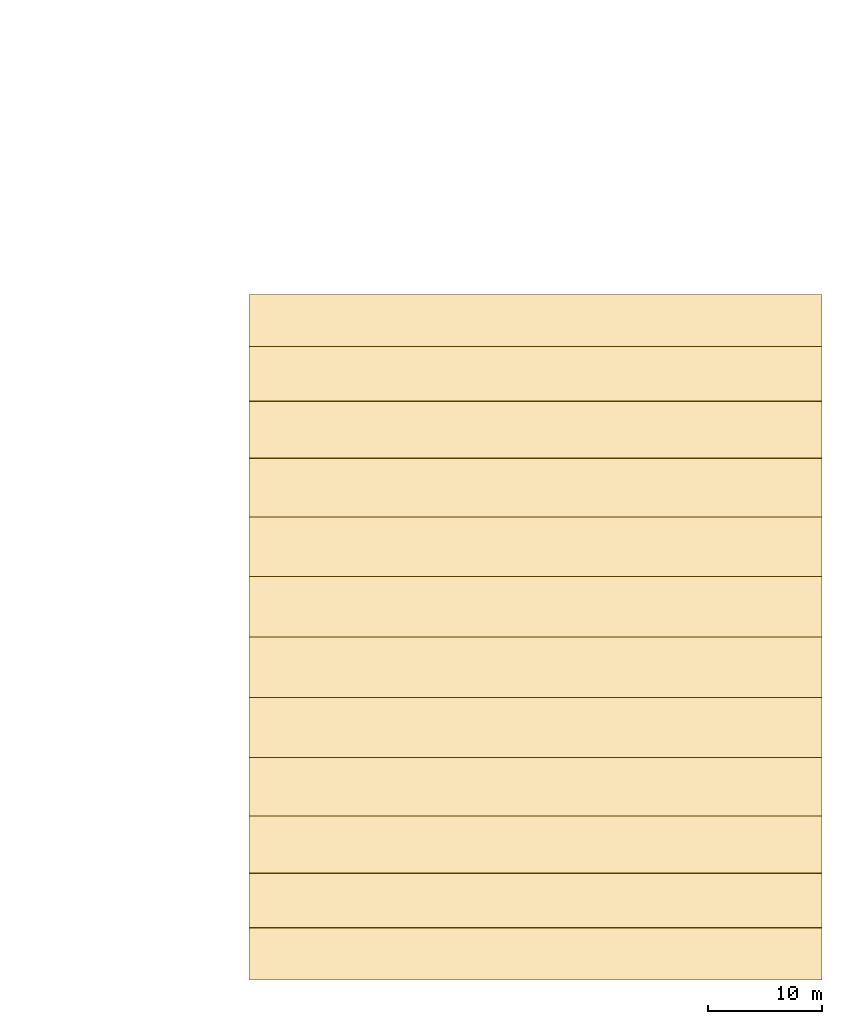
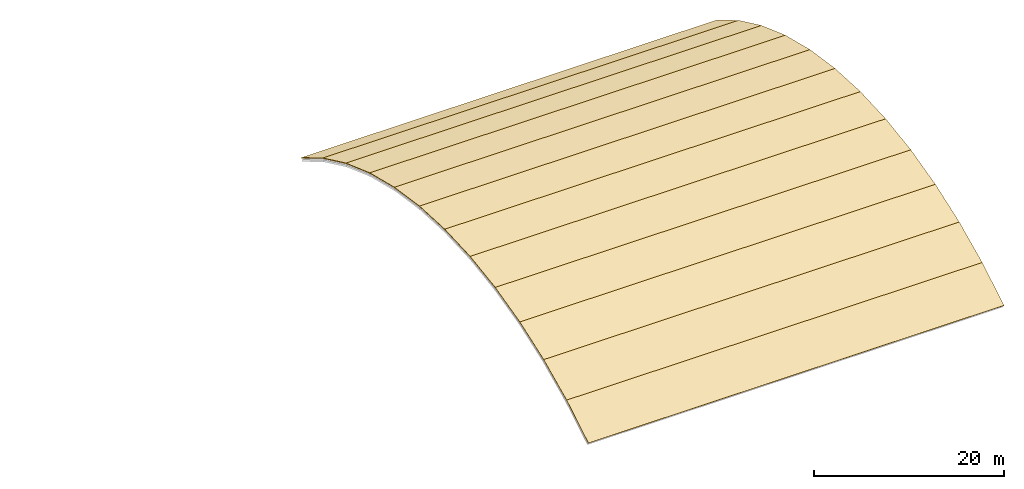
# One storey, part 2 of 2: 12 coverings.
"""IFC4 building model written with IfcOpenShell, lengths in metres."""

from ifc_helpers import new_model, si_unit, direction, frame, origin, place, context, subcontext, project, spatial, polyline, outline, extrude, material, layer, layer_set, type_object, element, save


model = new_model("IFC4")

# Units and contexts
model_context = context("Model", 3, precision=1e-05, world=origin(), true_north=direction((0.0, 1.0)))
body_context = subcontext(model_context, "Body", "Model", "MODEL_VIEW")
ifc_project = project(units=[si_unit("LENGTHUNIT", "METRE"), si_unit("AREAUNIT", "SQUARE_METRE"), si_unit("VOLUMEUNIT", "CUBIC_METRE"), si_unit("PLANEANGLEUNIT", "RADIAN"), si_unit("MASSUNIT", "GRAM", prefix="KILO")], contexts=[model_context])

# Site, building, storey
site_placement = place(None, origin())
site = spatial("IfcSite", under=ifc_project, at=site_placement, CompositionType="ELEMENT")
building_placement = place(site_placement, origin())
building = spatial("IfcBuilding", under=site, at=building_placement, Name="Malvenik Polytechnic", CompositionType="ELEMENT")
storey_placement = place(building_placement, frame((0.0, 0.0, 30.300048828125)))
storey = spatial("IfcBuildingStorey", under=building, at=storey_placement, Name="RF", CompositionType="ELEMENT", Elevation=30.300048828125)

# Coverings
ifc_material = material(Name="EPDM membrane and mineral wool roof insulation 200mm", Category="insulation")
ifc_layer = layer(ifc_material, 0.080078125)
ifc_layer_set = layer_set([ifc_layer], Name="EPDM membrane and mineral wool roof insulation 200mm")
covering_type = type_object("IfcCoveringType", Name="ARC-COV-ROOF", PredefinedType="ROOFING", material=ifc_layer_set)
covering_1_placement = place(storey_placement, frame((134.39990234375, 34.62646484375, -16.835205078125), z_axis=(0.0, -0.512492933895, 0.858691442084), x_axis=(1.0, 0.0, 0.0)))
element("IfcCovering", 1, at=covering_1_placement, inside=storey, type_object=covering_type, Name="Workshop Barrel Vault Roof Strip 1", PredefinedType="ROOFING", context=body_context, shape_type="SweptSolid", body=[
    extrude(outline(polyline([(0.0, 0.0), (50.400146484375, 0.0), (50.400146484375, 5.327817359835733), (0.0, 5.327817359835733), (0.0, 0.0)])), origin(), (0.0, 0.0, -1.0), 0.080078125),
])
covering_2_placement = place(storey_placement, frame((134.39990234375, 39.201416015625, -14.104736328125), z_axis=(0.0, -0.426139080661, 0.904657661181), x_axis=(1.0, 0.0, 0.0)))
element("IfcCovering", 2, at=covering_2_placement, inside=storey, type_object=covering_type, Name="Workshop Barrel Vault Roof Strip 2", PredefinedType="ROOFING", context=body_context, shape_type="SweptSolid", body=[
    extrude(outline(polyline([(0.0, 0.0), (50.400146484375, 0.0), (50.400146484375, 5.327518115341771), (0.0, 5.327518115341771), (0.0, 0.0)])), origin(), (0.0, 0.0, -1.0), 0.080078125),
])
covering_3_placement = place(storey_placement, frame((134.39990234375, 44.02099609375, -11.83447265625), z_axis=(0.0, -0.335764447612, 0.94194598344), x_axis=(1.0, 0.0, 0.0)))
element("IfcCovering", 3, at=covering_3_placement, inside=storey, type_object=covering_type, Name="Workshop Barrel Vault Roof Strip 3", PredefinedType="ROOFING", context=body_context, shape_type="SweptSolid", body=[
    extrude(outline(polyline([(0.0, 0.0), (50.400146484375, 0.0), (50.400146484375, 5.32759907160007), (0.0, 5.32759907160007), (0.0, 0.0)])), origin(), (0.0, 0.0, -1.0), 0.080078125),
])
covering_4_placement = place(storey_placement, frame((134.39990234375, 49.039306640625, -10.045654296875), z_axis=(0.0, -0.242093523297, 0.970252918562), x_axis=(1.0, 0.0, 0.0)))
element("IfcCovering", 4, at=covering_4_placement, inside=storey, type_object=covering_type, Name="Workshop Barrel Vault Roof Strip 4", PredefinedType="ROOFING", context=body_context, shape_type="SweptSolid", body=[
    extrude(outline(polyline([(0.0, 0.0), (50.400146484375, 0.0), (50.400146484375, 5.327672150460582), (0.0, 5.327672150460582), (0.0, 0.0)])), origin(), (0.0, 0.0, -1.0), 0.080078125),
])
covering_5_placement = place(storey_placement, frame((134.39990234375, 54.20849609375, -8.755859375), z_axis=(0.0, -0.146231437759, 0.989250406424), x_axis=(1.0, 0.0, 0.0)))
element("IfcCovering", 5, at=covering_5_placement, inside=storey, type_object=covering_type, Name="Workshop Barrel Vault Roof Strip 5", PredefinedType="ROOFING", context=body_context, shape_type="SweptSolid", body=[
    extrude(outline(polyline([(0.0, 0.0), (50.400146484375, 0.0), (50.400146484375, 5.327532480804085), (0.0, 5.327532480804085), (0.0, 0.0)])), origin(), (0.0, 0.0, -1.0), 0.080078125),
])
covering_6_placement = place(storey_placement, frame((134.39990234375, 59.478759765625, -7.976806640625), z_axis=(0.0, -0.048895382965, 0.998803905441), x_axis=(1.0, 0.0, 0.0)))
element("IfcCovering", 6, at=covering_6_placement, inside=storey, type_object=covering_type, Name="Workshop Barrel Vault Roof Strip 6", PredefinedType="ROOFING", context=body_context, shape_type="SweptSolid", body=[
    extrude(outline(polyline([(0.0, 0.0), (50.400146484375, 0.0), (50.400146484375, 5.32766144937043), (0.0, 5.32766144937043), (0.0, 0.0)])), origin(), (0.0, 0.0, -1.0), 0.080078125),
])
covering_7_placement = place(storey_placement, frame((134.39990234375, 64.800048828125, -7.71630859375), z_axis=(0.0, 0.048897621023, 0.998803795877), x_axis=(1.0, 0.0, 0.0)))
element("IfcCovering", 7, at=covering_7_placement, inside=storey, type_object=covering_type, Name="Workshop Barrel Vault Roof Strip 7", PredefinedType="ROOFING", context=body_context, shape_type="SweptSolid", body=[
    extrude(outline(polyline([(0.0, 0.0), (50.400146484375, 0.0), (50.400146484375, 5.3274176007740754), (0.0, 5.3274176007740754), (0.0, 0.0)])), origin(), (0.0, 0.0, -1.0), 0.080078125),
])
covering_8_placement = place(storey_placement, frame((134.39990234375, 70.12109375, -7.976806640625), z_axis=(0.0, 0.146224808859, 0.989251386289), x_axis=(1.0, 0.0, 0.0)))
element("IfcCovering", 8, at=covering_8_placement, inside=storey, type_object=covering_type, Name="Workshop Barrel Vault Roof Strip 8", PredefinedType="ROOFING", context=body_context, shape_type="SweptSolid", body=[
    extrude(outline(polyline([(0.0, 0.0), (50.400146484375, 0.0), (50.400146484375, 5.327773997136205), (0.0, 5.327773997136205), (0.0, 0.0)])), origin(), (0.0, 0.0, -1.0), 0.080078125),
])
covering_9_placement = place(storey_placement, frame((134.39990234375, 75.3916015625, -8.755859375), z_axis=(0.0, 0.242093523297, 0.970252918562), x_axis=(1.0, 0.0, 0.0)))
element("IfcCovering", 9, at=covering_9_placement, inside=storey, type_object=covering_type, Name="Workshop Barrel Vault Roof Strip 9", PredefinedType="ROOFING", context=body_context, shape_type="SweptSolid", body=[
    extrude(outline(polyline([(0.0, 0.0), (50.400146484375, 0.0), (50.400146484375, 5.327672150460582), (0.0, 5.327672150460582), (0.0, 0.0)])), origin(), (0.0, 0.0, -1.0), 0.080078125),
])
covering_10_placement = place(storey_placement, frame((134.39990234375, 80.560791015625, -10.045654296875), z_axis=(0.0, 0.335764447612, 0.94194598344), x_axis=(1.0, 0.0, 0.0)))
element("IfcCovering", 10, at=covering_10_placement, inside=storey, type_object=covering_type, Name="Workshop Barrel Vault Roof Strip 10", PredefinedType="ROOFING", context=body_context, shape_type="SweptSolid", body=[
    extrude(outline(polyline([(0.0, 0.0), (50.400146484375, 0.0), (50.400146484375, 5.32759907160007), (0.0, 5.32759907160007), (0.0, 0.0)])), origin(), (0.0, 0.0, -1.0), 0.080078125),
])
covering_11_placement = place(storey_placement, frame((134.39990234375, 85.5791015625, -11.83447265625), z_axis=(0.0, 0.426139080661, 0.904657661181), x_axis=(1.0, 0.0, 0.0)))
element("IfcCovering", 11, at=covering_11_placement, inside=storey, type_object=covering_type, Name="Workshop Barrel Vault Roof Strip 11", PredefinedType="ROOFING", context=body_context, shape_type="SweptSolid", body=[
    extrude(outline(polyline([(0.0, 0.0), (50.400146484375, 0.0), (50.400146484375, 5.327518115341771), (0.0, 5.327518115341771), (0.0, 0.0)])), origin(), (0.0, 0.0, -1.0), 0.080078125),
])
covering_12_placement = place(storey_placement, frame((134.39990234375, 90.398681640625, -14.104736328125), z_axis=(0.0, 0.512513100361, 0.858679405808), x_axis=(1.0, 0.0, 0.0)))
element("IfcCovering", 12, at=covering_12_placement, inside=storey, type_object=covering_type, Name="Workshop Barrel Vault Roof Strip 12", PredefinedType="ROOFING", context=body_context, shape_type="SweptSolid", body=[
    extrude(outline(polyline([(0.0, 0.0), (50.400146484375, 0.0), (50.400146484375, 5.327607719839624), (0.0, 5.327607719839624), (0.0, 0.0)])), origin(), (0.0, 0.0, -1.0), 0.080078125),
])

save(model, "model.ifc")
